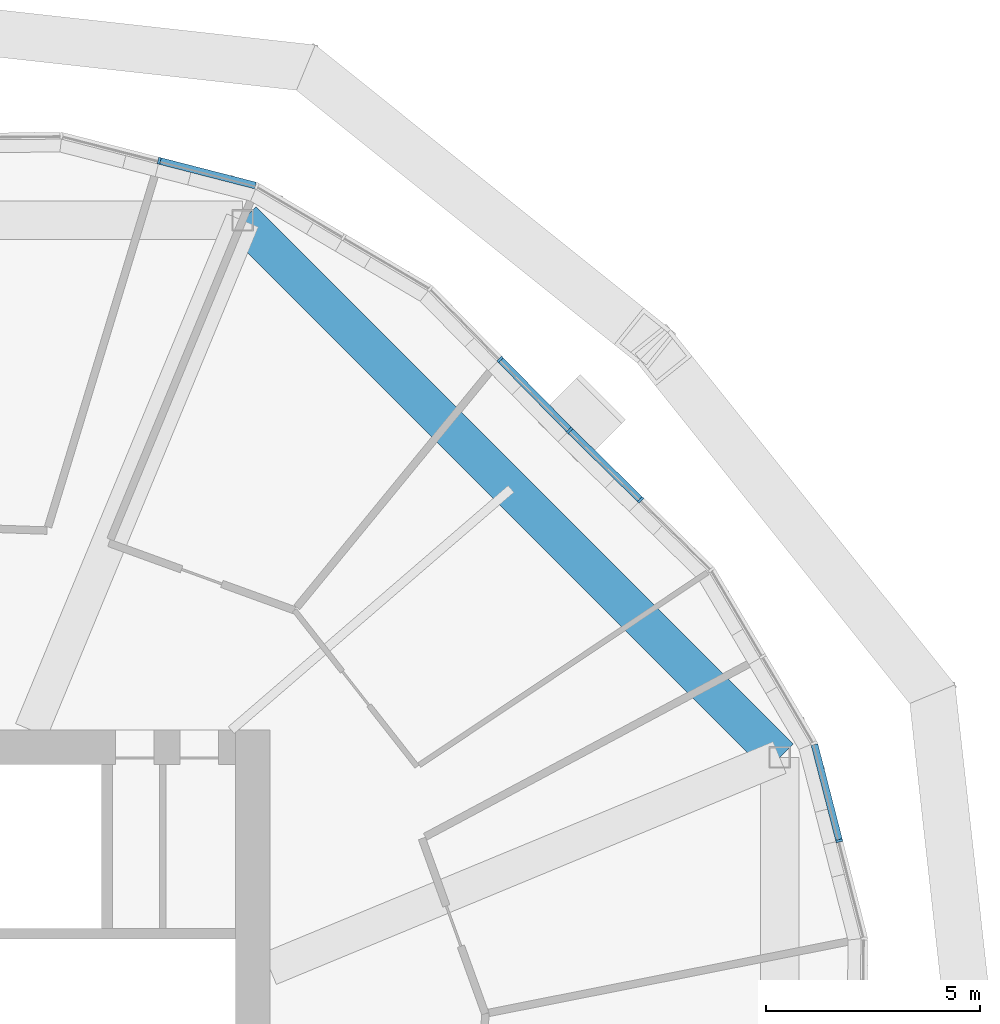
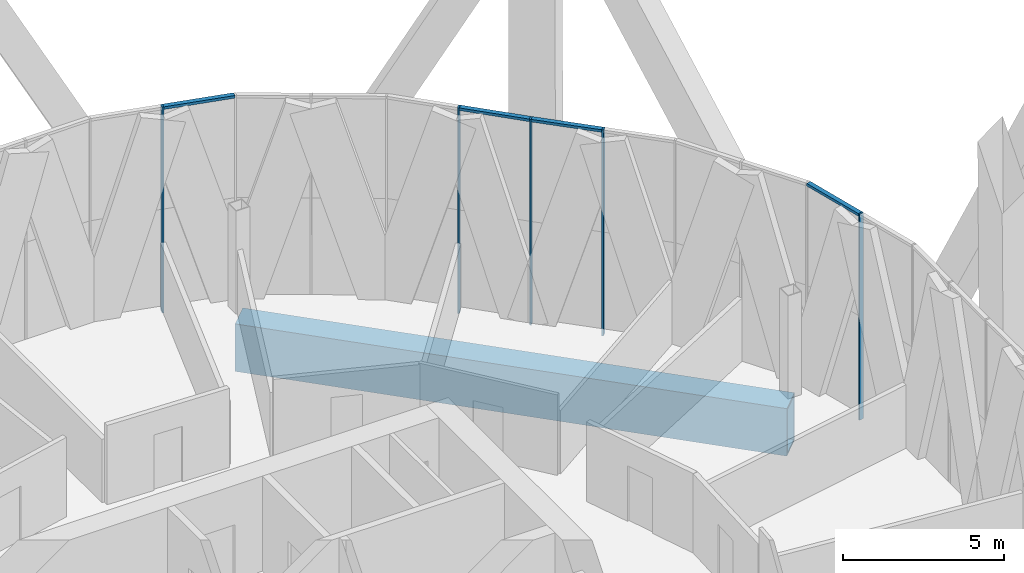
# One storey, part 9 of 30: 9 members, 1 beam, 2 elements without a shape of their own.
"""IFC4 building model written with IfcOpenShell, lengths in metres."""

from ifc_helpers import new_model, si_unit, direction, frame, origin, origin_2d, place, context, subcontext, project, spatial, rectangle, hollow_rectangle, extrude, material, material_profile, profile_set, type_object, element, aggregate, save


model = new_model("IFC4")

# Units and contexts
model_context = context("Model", 3, precision=1e-05, world=origin(), true_north=direction((0.0, 1.0)))
body_context = subcontext(model_context, "Body", "Model", "MODEL_VIEW")
ifc_project = project(units=[si_unit("LENGTHUNIT", "METRE"), si_unit("AREAUNIT", "SQUARE_METRE"), si_unit("VOLUMEUNIT", "CUBIC_METRE"), si_unit("PLANEANGLEUNIT", "RADIAN"), si_unit("MASSUNIT", "GRAM", prefix="KILO")], contexts=[model_context])

# Site, building, storey
site_placement = place(None, origin())
site = spatial("IfcSite", under=ifc_project, at=site_placement, CompositionType="ELEMENT")
building_placement = place(site_placement, origin())
building = spatial("IfcBuilding", under=site, at=building_placement, Name="Ogive Gate Towers", CompositionType="ELEMENT")
storey_placement = place(building_placement, frame((0.0, 0.0, 99.60009765625)))
storey = spatial("IfcBuildingStorey", under=building, at=storey_placement, Name="L23", CompositionType="ELEMENT", Elevation=99.60009765625)

# Beam
ifc_material_1 = material(Name="Steel SM460", Category="steel")
ifc_material_profile_1 = material_profile(ifc_material_1, hollow_rectangle(XDim=0.89990234375, YDim=1.800048828125, WallThickness=0.080078125, at=origin_2d()), Name="BX 1800x900x80")
ifc_profile_set_1 = profile_set([ifc_material_profile_1], Name="Steel SM460")
beam_type = type_object("IfcBeamType", Name="Edge girder BX 1800x900x80", PredefinedType="BEAM", material=ifc_profile_set_1)
beam_placement = place(storey_placement, frame((-14.60302734375, 8.863037109375, -1.2001953125), z_axis=(-0.707106781187, 0.707106781187, 0.0), x_axis=(-0.707106781187, -0.707106781187, 0.0)))
element("IfcBeam", 1, at=beam_placement, inside=storey, type_object=beam_type, Name="T1/L23/SBM021", PredefinedType="BEAM", context=body_context, shape_type="SweptSolid", body=[
    extrude(hollow_rectangle(XDim=0.89990234375, YDim=1.800048828125, WallThickness=0.080078125, at=origin_2d()), origin(), (0.0, 0.0, 1.0), 17.7255859375),
])

# Curtain wall, members
ifc_material_2 = material(Name="Pale metal aluminium", Category="aluminium")
curtain_wall_type = type_object("IfcCurtainWallType", Name="Tower unitised wall, low zone", PredefinedType="NOTDEFINED", material=ifc_material_2)
curtain_wall_1_placement = place(storey_placement, origin())
curtain_wall_1 = element("IfcCurtainWall", 2, at=curtain_wall_1_placement, inside=storey, type_object=curtain_wall_type, Name="CW1 T1 ECW03", PredefinedType="NOTDEFINED")
ifc_material_profile_2 = material_profile(ifc_material_2, rectangle(XDim=0.159912109375, YDim=0.06005859375, at=origin_2d()), Name="60 x 160 aluminium box")
ifc_profile_set_2 = profile_set([ifc_material_profile_2], Name="Pale metal aluminium")
member_type_1 = type_object("IfcMemberType", Name="Tower unitised wall, low zone mullion 60 x 160", PredefinedType="MULLION", material=ifc_profile_set_2)
member_1_placement = place(storey_placement, frame((-19.50341796875, 16.4970703125, -0.300048828125), z_axis=(0.0, 0.0, 1.0), x_axis=(-0.700299028189, -0.713849613797, 0.0)))
member_1 = element("IfcMember", 3, at=member_1_placement, type_object=member_type_1, Name="CW1 mullion", PredefinedType="MULLION", context=body_context, shape_type="SweptSolid", body=[
    extrude(rectangle(XDim=0.159912109375, YDim=0.06005859375, at=origin_2d()), origin(), (0.0, 0.0, 1.0), 7.800048828125),
])
member_2_placement = place(storey_placement, frame((-17.847900390625, 14.873046875, -0.300048828125), z_axis=(0.0, 0.0, 1.0), x_axis=(-0.700299028189, -0.713849613797, 0.0)))
member_2 = element("IfcMember", 4, at=member_2_placement, type_object=member_type_1, Name="CW1 mullion", PredefinedType="MULLION", context=body_context, shape_type="SweptSolid", body=[
    extrude(rectangle(XDim=0.159912109375, YDim=0.06005859375, at=origin_2d()), origin(), (0.0, 0.0, 1.0), 7.800048828125),
])
member_3_placement = place(storey_placement, frame((-13.211669921875, 6.918212890625, -0.300048828125), z_axis=(0.0, 0.0, 1.0), x_axis=(-0.968439765391, -0.249247709738, 0.0)))
member_3 = element("IfcMember", 5, at=member_3_placement, type_object=member_type_1, Name="CW1 mullion", PredefinedType="MULLION", context=body_context, shape_type="SweptSolid", body=[
    extrude(rectangle(XDim=0.159912109375, YDim=0.06005859375, at=origin_2d()), origin(), (0.0, 0.0, 1.0), 7.800048828125),
])

curtain_wall_2_placement = place(storey_placement, origin())
curtain_wall_2 = element("IfcCurtainWall", 6, at=curtain_wall_2_placement, inside=storey, type_object=curtain_wall_type, Name="CW1 T1 ECW04", PredefinedType="NOTDEFINED")
member_4_placement = place(storey_placement, frame((-29.081787109375, 22.788330078125, -0.300048828125), z_axis=(0.0, 0.0, 1.0), x_axis=(-0.249247709738, -0.968439765391, 0.0)))
member_4 = element("IfcMember", 7, at=member_4_placement, type_object=member_type_1, Name="CW1 mullion", PredefinedType="MULLION", context=body_context, shape_type="SweptSolid", body=[
    extrude(rectangle(XDim=0.159912109375, YDim=0.06005859375, at=origin_2d()), origin(), (0.0, 0.0, 1.0), 7.800048828125),
])
member_5_placement = place(storey_placement, frame((-21.126953125, 18.152099609375, -0.300048828125), z_axis=(0.0, 0.0, 1.0), x_axis=(-0.713849613797, -0.700299028189, 0.0)))
member_5 = element("IfcMember", 8, at=member_5_placement, type_object=member_type_1, Name="CW1 mullion", PredefinedType="MULLION", context=body_context, shape_type="SweptSolid", body=[
    extrude(rectangle(XDim=0.159912109375, YDim=0.06005859375, at=origin_2d()), origin(), (0.0, 0.0, 1.0), 7.800048828125),
])

# Member
ifc_material_profile_3 = material_profile(ifc_material_2, rectangle(XDim=0.159912109375, YDim=0.10009765625, at=origin_2d()), Name="100 x 160 aluminium box")
ifc_profile_set_3 = profile_set([ifc_material_profile_3], Name="Pale metal aluminium")
member_type_2 = type_object("IfcMemberType", Name="Tower unitised wall, low zone transom 100 x 160", PredefinedType="USERDEFINED", material=ifc_profile_set_3)
member_6_placement = place(storey_placement, frame((-19.48193359375, 16.47607421875, 7.449951171875), z_axis=(0.713829147269, -0.700319890129, 0.0), x_axis=(0.700319890129, 0.713829147269, 0.0)))
member_6 = element("IfcMember", 9, at=member_6_placement, type_object=member_type_2, Name="CW1 transom", ObjectType="TRANSOM", PredefinedType="USERDEFINED", context=body_context, shape_type="SweptSolid", body=[
    extrude(rectangle(XDim=0.159912109375, YDim=0.10009765625, at=origin_2d()), origin(), (0.0, 0.0, 1.0), 2.259033203125),
])

member_7_placement = place(storey_placement, frame((-13.789794921875, 9.16455078125, 7.449951171875), z_axis=(0.249203926839, -0.968451032757, 0.0), x_axis=(0.968451032757, 0.249203926839, 0.0)))
member_7 = element("IfcMember", 10, at=member_7_placement, type_object=member_type_2, Name="CW1 transom", ObjectType="TRANSOM", PredefinedType="USERDEFINED", context=body_context, shape_type="SweptSolid", body=[
    extrude(rectangle(XDim=0.159912109375, YDim=0.10009765625, at=origin_2d()), origin(), (0.0, 0.0, 1.0), 2.28955078125),
])

aggregate(curtain_wall_1, [member_1, member_2, member_6, member_3, member_7])

member_8_placement = place(storey_placement, frame((-29.052734375, 22.78076171875, 7.449951171875), z_axis=(0.968451032757, -0.249203926839, 0.0), x_axis=(0.249203926839, 0.968451032757, 0.0)))
member_8 = element("IfcMember", 11, at=member_8_placement, type_object=member_type_2, Name="CW1 transom", ObjectType="TRANSOM", PredefinedType="USERDEFINED", context=body_context, shape_type="SweptSolid", body=[
    extrude(rectangle(XDim=0.159912109375, YDim=0.10009765625, at=origin_2d()), origin(), (0.0, 0.0, 1.0), 2.28955078125),
])

member_9_placement = place(storey_placement, frame((-21.10595703125, 18.130615234375, 7.449951171875), z_axis=(0.700319890129, -0.713829147269, 0.0), x_axis=(0.713829147269, 0.700319890129, 0.0)))
member_9 = element("IfcMember", 12, at=member_9_placement, type_object=member_type_2, Name="CW1 transom", ObjectType="TRANSOM", PredefinedType="USERDEFINED", context=body_context, shape_type="SweptSolid", body=[
    extrude(rectangle(XDim=0.159912109375, YDim=0.10009765625, at=origin_2d()), origin(), (0.0, 0.0, 1.0), 2.259033203125),
])

aggregate(curtain_wall_2, [member_4, member_8, member_5, member_9])

save(model, "model.ifc")
